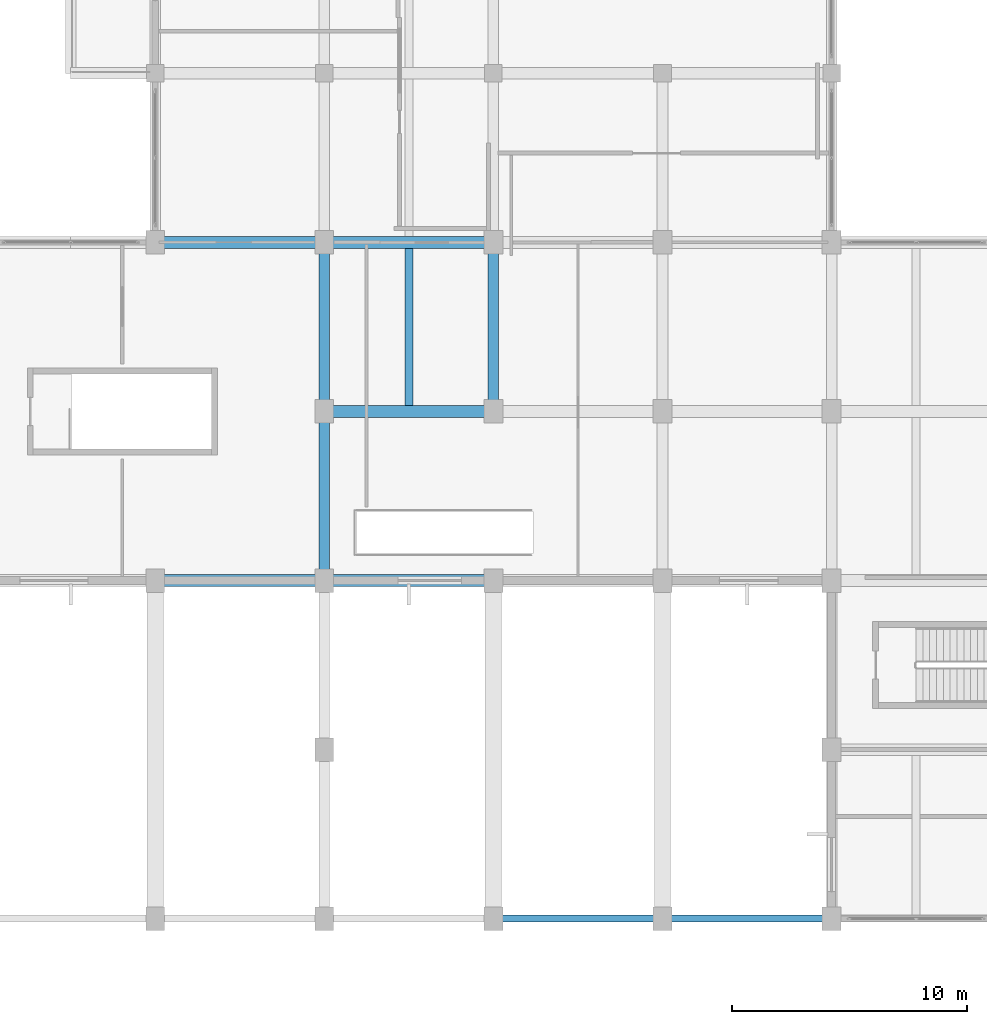
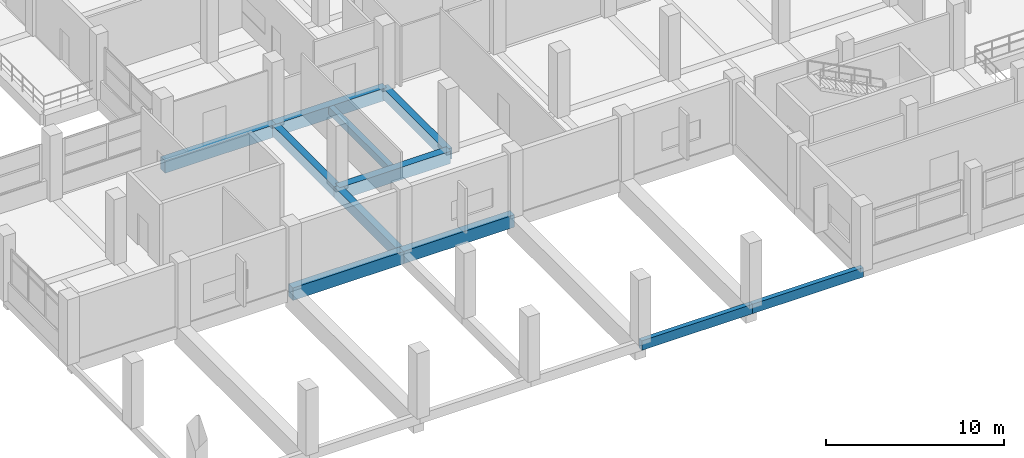
# One storey, part 6 of 141: 11 beams.
"""IFC4 building model written with IfcOpenShell, lengths in metres."""

from ifc_helpers import new_model, si_unit, direction, frame, origin, origin_2d, place, context, subcontext, project, spatial, rectangle, extrude, material, material_profile, profile_set, type_object, element, save


model = new_model("IFC4")

# Units and contexts
model_context = context("Model", 3, precision=1e-05, world=origin(), true_north=direction((0.0, 1.0)))
body_context = subcontext(model_context, "Body", "Model", "MODEL_VIEW")
ifc_project = project(units=[si_unit("LENGTHUNIT", "METRE"), si_unit("AREAUNIT", "SQUARE_METRE"), si_unit("VOLUMEUNIT", "CUBIC_METRE"), si_unit("PLANEANGLEUNIT", "RADIAN"), si_unit("MASSUNIT", "GRAM", prefix="KILO")], contexts=[model_context])

# Site, building, storey
site_placement = place(None, origin())
site = spatial("IfcSite", under=ifc_project, at=site_placement, CompositionType="ELEMENT")
building_placement = place(site_placement, origin())
building = spatial("IfcBuilding", under=site, at=building_placement, Name="Seraya Terrace Polytechnic", CompositionType="ELEMENT")
storey_placement = place(building_placement, frame((0.0, 0.0, 14.39990234375)))
storey = spatial("IfcBuildingStorey", under=building, at=storey_placement, Name="L03", CompositionType="ELEMENT", Elevation=14.39990234375)

# Beams
ifc_material = material(Name="Concrete C40/50", Category="concrete")
ifc_material_profile_1 = material_profile(ifc_material, rectangle(XDim=0.5, YDim=0.85009765625, at=origin_2d()), Name="RC 500x850")
ifc_profile_set_1 = profile_set([ifc_material_profile_1], Name="Concrete C40/50")
beam_type_1 = type_object("IfcBeamType", Name="BM-05", PredefinedType="BEAM", material=ifc_profile_set_1)
beam_1_placement = place(storey_placement, frame((14.39990234375, 14.39990234375, -0.4248046875), z_axis=(1.0, 0.0, 0.0), x_axis=(0.0, 1.0, 0.0)))
element("IfcBeam", 1, at=beam_1_placement, inside=storey, type_object=beam_type_1, Name="Beam BM-05 L03 X (14.4..21.6, 14.4)", PredefinedType="BEAM", context=body_context, shape_type="SweptSolid", body=[
    extrude(rectangle(XDim=0.5, YDim=0.85009765625, at=origin_2d()), origin(), (0.0, 0.0, 1.0), 7.2001953125),
])
for number, where, z_axis, x_axis, name in (
    (2, (21.60009765625, 14.39990234375, -0.4248046875), (1.0, 0.0, 0.0), (0.0, 1.0, 0.0), "Beam BM-05 L03 X (21.6..28.8, 14.4)"),
    (3, (21.60009765625, 21.60009765625, -0.4248046875), (1.0, 0.0, 0.0), (0.0, 1.0, 0.0), "Beam BM-05 L03 X (21.6..28.8, 21.6)"),
):
    element("IfcBeam", number, at=place(storey_placement, frame(where, z_axis=z_axis, x_axis=x_axis)), inside=storey, type_object=beam_type_1, Name=name, PredefinedType="BEAM", context=body_context, shape_type="SweptSolid", body=[
        extrude(rectangle(XDim=0.5, YDim=0.85009765625, at=origin_2d()), origin(), (0.0, 0.0, 1.0), 7.199951171875),
    ])
beam_2_placement = place(storey_placement, frame((14.39990234375, 28.800048828125, -0.4248046875), z_axis=(1.0, 0.0, 0.0), x_axis=(0.0, 1.0, 0.0)))
element("IfcBeam", 4, at=beam_2_placement, inside=storey, type_object=beam_type_1, Name="Beam BM-05 L03 X (14.4..21.6, 28.8)", PredefinedType="BEAM", context=body_context, shape_type="SweptSolid", body=[
    extrude(rectangle(XDim=0.5, YDim=0.85009765625, at=origin_2d()), origin(), (0.0, 0.0, 1.0), 7.2001953125),
])
beam_3_placement = place(storey_placement, frame((21.60009765625, 28.800048828125, -0.4248046875), z_axis=(1.0, 0.0, 0.0), x_axis=(0.0, 1.0, 0.0)))
element("IfcBeam", 5, at=beam_3_placement, inside=storey, type_object=beam_type_1, Name="Beam BM-05 L03 X (21.6..28.8, 28.8)", PredefinedType="BEAM", context=body_context, shape_type="SweptSolid", body=[
    extrude(rectangle(XDim=0.5, YDim=0.85009765625, at=origin_2d()), origin(), (0.0, 0.0, 1.0), 7.199951171875),
])
ifc_material_profile_2 = material_profile(ifc_material, rectangle(XDim=0.449951171875, YDim=0.75, at=origin_2d()), Name="RC 450x750")
ifc_profile_set_2 = profile_set([ifc_material_profile_2], Name="Concrete C40/50")
beam_type_2 = type_object("IfcBeamType", Name="BM-08", PredefinedType="BEAM", material=ifc_profile_set_2)
beam_4_placement = place(storey_placement, frame((21.60009765625, 14.39990234375, -0.375), z_axis=(0.0, 1.0, 0.0), x_axis=(-1.0, 0.0, 0.0)))
element("IfcBeam", 6, at=beam_4_placement, inside=storey, type_object=beam_type_2, Name="Beam BM-08 L03 Y (21.6, 14.4..21.6)", PredefinedType="BEAM", context=body_context, shape_type="SweptSolid", body=[
    extrude(rectangle(XDim=0.449951171875, YDim=0.75, at=origin_2d()), origin(), (0.0, 0.0, 1.0), 7.2001953125),
])
for number, where, z_axis, x_axis, name in (
    (7, (21.60009765625, 21.60009765625, -0.375), (0.0, 1.0, 0.0), (-1.0, 0.0, 0.0), "Beam BM-08 L03 Y (21.6, 21.6..28.8)"),
    (8, (28.800048828125, 21.60009765625, -0.375), (0.0, 1.0, 0.0), (-1.0, 0.0, 0.0), "Beam BM-08 L03 Y (28.8, 21.6..28.8)"),
):
    element("IfcBeam", number, at=place(storey_placement, frame(where, z_axis=z_axis, x_axis=x_axis)), inside=storey, type_object=beam_type_2, Name=name, PredefinedType="BEAM", context=body_context, shape_type="SweptSolid", body=[
        extrude(rectangle(XDim=0.449951171875, YDim=0.75, at=origin_2d()), origin(), (0.0, 0.0, 1.0), 7.199951171875),
    ])
ifc_material_profile_3 = material_profile(ifc_material, rectangle(XDim=0.35009765625, YDim=0.5, at=origin_2d()), Name="RC 350x500")
ifc_profile_set_3 = profile_set([ifc_material_profile_3], Name="Concrete C40/50")
beam_type_3 = type_object("IfcBeamType", Name="JS-03", PredefinedType="JOIST", material=ifc_profile_set_3)
beam_5_placement = place(storey_placement, frame((25.199951171875, 21.85009765625, -0.25), z_axis=(0.0, 1.0, 0.0), x_axis=(-1.0, 0.0, 0.0)))
element("IfcBeam", 9, at=beam_5_placement, inside=storey, type_object=beam_type_3, Name="Secondary joist JS-03 L03", PredefinedType="JOIST", context=body_context, shape_type="SweptSolid", body=[
    extrude(rectangle(XDim=0.35009765625, YDim=0.5, at=origin_2d()), origin(), (0.0, 0.0, 1.0), 6.699951171875),
])
ifc_material_profile_4 = material_profile(ifc_material, rectangle(XDim=0.300048828125, YDim=0.64990234375, at=origin_2d()), Name="RC 300x650")
ifc_profile_set_4 = profile_set([ifc_material_profile_4], Name="Concrete C40/50")
beam_type_4 = type_object("IfcBeamType", Name="SP-01", PredefinedType="SPANDREL", material=ifc_profile_set_4)
for number, where, z_axis, x_axis, name in (
    (10, (28.800048828125, 0.0, -0.324951171875), (1.0, 0.0, 0.0), (0.0, 1.0, 0.0), "Beam SP-01 L03 X (28.8..36.0, 0.0)"),
    (11, (36.0, 0.0, -0.324951171875), (1.0, 0.0, 0.0), (0.0, 1.0, 0.0), "Beam SP-01 L03 X (36.0..43.2, 0.0)"),
):
    element("IfcBeam", number, at=place(storey_placement, frame(where, z_axis=z_axis, x_axis=x_axis)), inside=storey, type_object=beam_type_4, Name=name, PredefinedType="SPANDREL", context=body_context, shape_type="SweptSolid", body=[
        extrude(rectangle(XDim=0.300048828125, YDim=0.64990234375, at=origin_2d()), origin(), (0.0, 0.0, 1.0), 7.199951171875),
    ])

save(model, "model.ifc")
